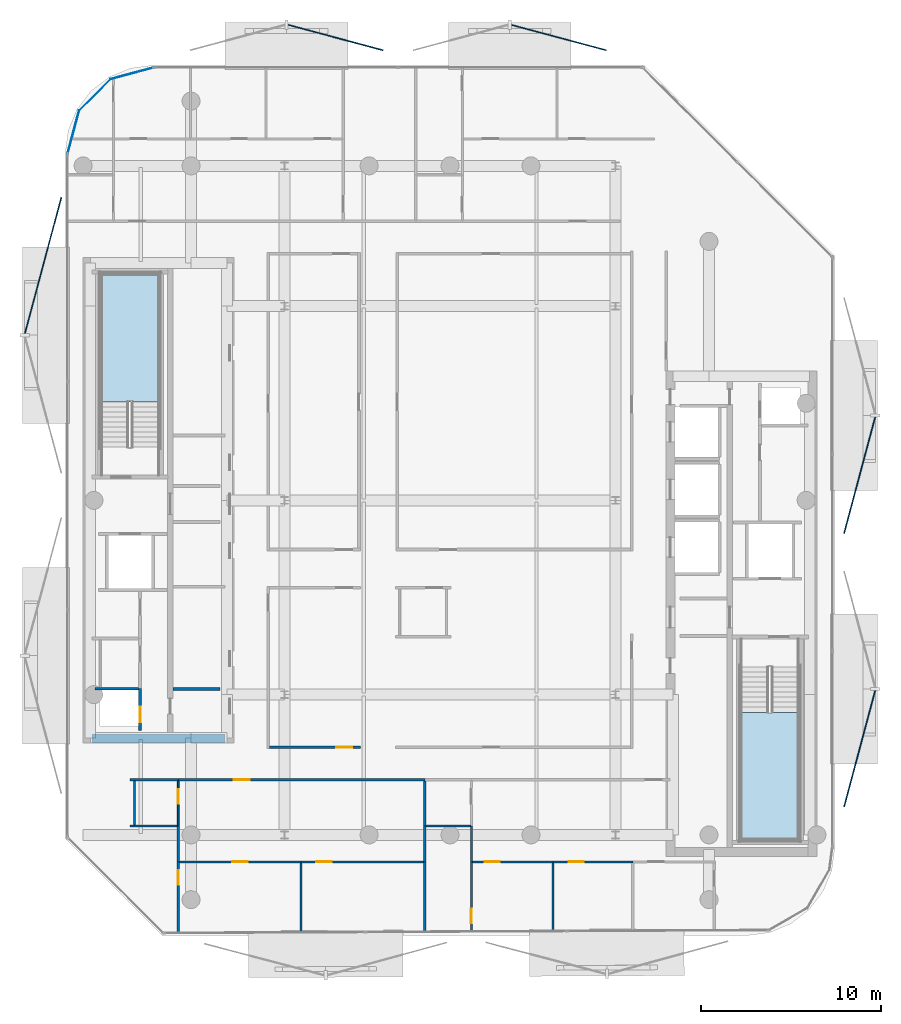
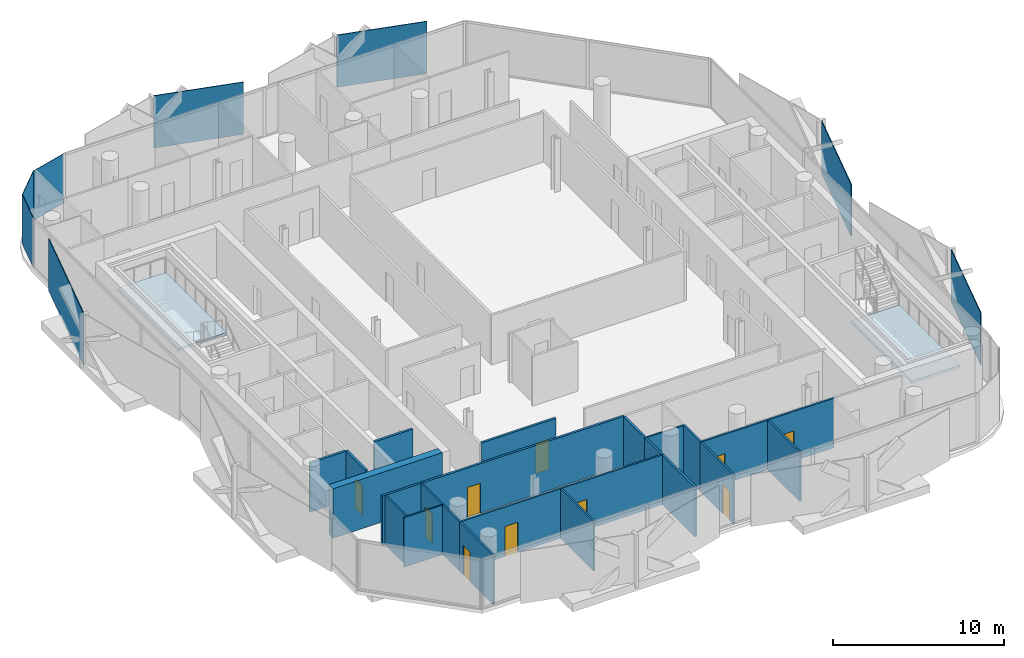
# One storey, part 4 of 16: 24 walls, 10 doors, 8 plates, 2 slabs, 10 openings, 2 elements without a shape of their own.
"""IFC4 building model written with IfcOpenShell, lengths in metres."""

from ifc_helpers import new_model, si_unit, direction, frame, frame_2d, origin, origin_2d, place, context, subcontext, project, spatial, polyline, rectangle, outline, extrude, material, layer, layer_set, type_object, element, fill, aggregate, save


model = new_model("IFC4")

# Units and contexts
model_context = context("Model", 3, precision=1e-05, world=origin(), true_north=direction((0.0, 1.0)))
body_context = subcontext(model_context, "Body", "Model", "MODEL_VIEW")
ifc_project = project(units=[si_unit("LENGTHUNIT", "METRE"), si_unit("AREAUNIT", "SQUARE_METRE"), si_unit("VOLUMEUNIT", "CUBIC_METRE"), si_unit("PLANEANGLEUNIT", "RADIAN"), si_unit("MASSUNIT", "GRAM", prefix="KILO")], contexts=[model_context])

# Site, building, storey
site_placement = place(None, origin())
site = spatial("IfcSite", under=ifc_project, at=site_placement, CompositionType="ELEMENT")
building_placement = place(site_placement, origin())
building = spatial("IfcBuilding", under=site, at=building_placement, Name="Khairoan Windgate Tower", CompositionType="ELEMENT")
storey_placement = place(building_placement, frame((0.0, 0.0, 281.39990234375)))
storey = spatial("IfcBuildingStorey", under=building, at=storey_placement, Name="L67", CompositionType="ELEMENT", Elevation=281.39990234375)

# Plates
ifc_material_1 = material(Name="Low-E Solar Control Laminated Glass", Category="glass")
ifc_layer_1 = layer(ifc_material_1, 0.030029296875, Name="Low-E Solar Control Laminated Glass")
ifc_layer_set_1 = layer_set([ifc_layer_1], Name="Low-E Solar Control Laminated Glass")
plate_type_1 = type_object("IfcPlateType", Name="Aerodynamic Wind-Corner Curved Glazing Plate", PredefinedType="USERDEFINED", material=ifc_layer_set_1)
plate_1_placement = place(storey_placement, frame((-20.940673828125, 20.485107421875, 0.0), z_axis=(0.0, 0.0, 1.0), x_axis=(0.258313252067, 0.966061211211, 0.0)))
element("IfcPlate", 1, at=plate_1_placement, inside=storey, type_object=plate_type_1, Name="L67 Aerodynamic Wind-Corner Curved Glazing Panel 4", ObjectType="GLAZING PANEL", PredefinedType="USERDEFINED", context=body_context, shape_type="SweptSolid", body=[
    extrude(rectangle(XDim=2.512451171875, YDim=0.035888671875, at=origin_2d()), origin(), (0.0, 0.0, 1.0), 3.5400390625),
])
plate_2_placement = place(storey_placement, frame((-19.750244140625, 22.55029296875, 0.0), z_axis=(0.0, 0.0, 1.0), x_axis=(0.707106781187, 0.707106781187, 0.0)))
element("IfcPlate", 2, at=plate_2_placement, inside=storey, type_object=plate_type_1, Name="L67 Aerodynamic Wind-Corner Curved Glazing Panel 5", ObjectType="GLAZING PANEL", PredefinedType="USERDEFINED", context=body_context, shape_type="SweptSolid", body=[
    extrude(rectangle(XDim=2.50341796875, YDim=0.035888671875, at=origin_2d()), origin(), (0.0, 0.0, 1.0), 3.5400390625),
])
plate_3_placement = place(storey_placement, frame((-17.68505859375, 23.740478515625, 0.0), z_axis=(0.0, 0.0, 1.0), x_axis=(0.966061211211, 0.258313252067, 0.0)))
element("IfcPlate", 3, at=plate_3_placement, inside=storey, type_object=plate_type_1, Name="L67 Aerodynamic Wind-Corner Curved Glazing Panel 6", ObjectType="GLAZING PANEL", PredefinedType="USERDEFINED", context=body_context, shape_type="SweptSolid", body=[
    extrude(rectangle(XDim=2.512451171875, YDim=0.035888671875, at=origin_2d()), origin(), (0.0, 0.0, 1.0), 3.5400390625),
])
ifc_material_2 = material(Name="Anodised Bronze Aluminium 6063-T6", Category="aluminium")
ifc_layer_2 = layer(ifc_material_2, 0.054931640625, Name="Anodised Bronze Aluminium 6063-T6")
ifc_layer_set_2 = layer_set([ifc_layer_2], Name="Anodised Bronze Aluminium 6063-T6")
plate_type_2 = type_object("IfcPlateType", Name="Perforated Bronze Solar Screen Upper Panel BSP-2", PredefinedType="USERDEFINED", material=ifc_layer_set_2)
plate_4_placement = place(storey_placement, frame((-22.62548828125, 13.05859375, -0.10009765625), z_axis=(0.0, 0.0, 1.0), x_axis=(0.258819045103, 0.965925826289, 0.0)))
element("IfcPlate", 4, at=plate_4_placement, inside=storey, type_object=plate_type_2, Name="L67 Perforated Bronze Solar Screen Panel 465R", ObjectType="SCREEN", PredefinedType="USERDEFINED", context=body_context, shape_type="SweptSolid", body=[
    extrude(rectangle(XDim=7.839111328125, YDim=0.054931640625, at=origin_2d()), origin(), (0.0, 0.0, 1.0), 3.739990234375),
])
for number, where, z_axis, x_axis, name in (
    (5, (-6.361083984375, 25.733642578125, -0.10009765625), (0.0, 0.0, 1.0), (0.965925826289, -0.258819045103, 0.0), "L67 Perforated Bronze Solar Screen Panel 466R"),
    (6, (6.04541015625, 25.733642578125, -0.10009765625), (0.0, 0.0, 1.0), (0.965925826289, -0.258819045103, 0.0), "L67 Perforated Bronze Solar Screen Panel 467R"),
):
    element("IfcPlate", number, at=place(storey_placement, frame(where, z_axis=z_axis, x_axis=x_axis)), inside=storey, type_object=plate_type_2, Name=name, ObjectType="SCREEN", PredefinedType="USERDEFINED", context=body_context, shape_type="SweptSolid", body=[
        extrude(rectangle(XDim=5.458984375, YDim=0.054931640625, at=origin_2d()), origin(), (0.0, 0.0, 1.0), 3.739990234375),
    ])
for number, where, z_axis, x_axis, name in (
    (7, (22.774169921875, 1.397216796875, -0.10009765625), (0.0, 0.0, 1.0), (-0.258819045103, -0.965925826289, 0.0), "L67 Perforated Bronze Solar Screen Panel 468R"),
    (8, (22.774169921875, -13.80908203125, -0.10009765625), (0.0, 0.0, 1.0), (-0.258819045103, -0.965925826289, 0.0), "L67 Perforated Bronze Solar Screen Panel 469R"),
):
    element("IfcPlate", number, at=place(storey_placement, frame(where, z_axis=z_axis, x_axis=x_axis)), inside=storey, type_object=plate_type_2, Name=name, ObjectType="SCREEN", PredefinedType="USERDEFINED", context=body_context, shape_type="SweptSolid", body=[
        extrude(rectangle(XDim=6.69091796875, YDim=0.054931640625, at=origin_2d()), origin(), (0.0, 0.0, 1.0), 3.739990234375),
    ])

# Stair, slab
ifc_material_3 = material(Name="Concrete C40/50", Category="concrete")
stair_type = type_object("IfcStairType", Name="Tower Core Dog-Leg Stair ST-T1 1560mm", PredefinedType="HALF_TURN_STAIR", material=ifc_material_3)
stair_1_placement = place(storey_placement, origin())
stair_1 = element("IfcStair", 9, at=stair_1_placement, inside=storey, type_object=stair_type, Name="L67 Stair ST1", PredefinedType="HALF_TURN_STAIR")
ifc_material_4 = material(Name="Concrete C40/50", Category="concrete")
ifc_layer_3 = layer(ifc_material_4, 0.199951171875, Name="Concrete C40/50")
ifc_layer_set_3 = layer_set([ifc_layer_3], Name="Concrete C40/50")
slab_type = type_object("IfcSlabType", Name="Reinforced Concrete Stair Landing Slab STL-200", PredefinedType="LANDING", material=ifc_layer_set_3)
slab_1_placement = place(storey_placement, frame((0.0, 0.0, 1.7001953125)))
slab_1 = element("IfcSlab", 10, at=slab_1_placement, type_object=slab_type, Name="ST1 landing 1", PredefinedType="LANDING", context=body_context, shape_type="SweptSolid", body=[
    extrude(outline(polyline([(16.14990234375, -11.780029296875), (16.14990234375, -18.89990234375), (19.419921875, -18.89990234375), (19.419921875, -11.780029296875), (16.14990234375, -11.780029296875)])), origin(), (0.0, 0.0, 1.0), 0.199951171875),
])
aggregate(stair_1, [slab_1])

stair_2_placement = place(storey_placement, origin())
stair_2 = element("IfcStair", 11, at=stair_2_placement, inside=storey, type_object=stair_type, Name="L67 Stair ST2", PredefinedType="HALF_TURN_STAIR")
slab_2_placement = place(storey_placement, frame((0.0, 0.0, 1.7001953125)))
slab_2 = element("IfcSlab", 12, at=slab_2_placement, type_object=slab_type, Name="ST2 landing 1", PredefinedType="LANDING", context=body_context, shape_type="SweptSolid", body=[
    extrude(outline(polyline([(-16.14990234375, 5.47998046875), (-16.14990234375, 12.60009765625), (-19.419921875, 12.60009765625), (-19.419921875, 5.47998046875), (-16.14990234375, 5.47998046875)])), origin(), (0.0, 0.0, 1.0), 0.199951171875),
])
aggregate(stair_2, [slab_2])

# Wall
ifc_material_5 = material(Name="Moisture-Resistant Gypsum Partition", Category="gypsum")
ifc_layer_4 = layer(ifc_material_5, 0.10009765625, Name="Moisture-Resistant Gypsum Partition")
ifc_layer_set_4 = layer_set([ifc_layer_4], Name="Moisture-Resistant Gypsum Partition")
wall_type_1 = type_object("IfcWallType", Name="Bathroom Wet-Area Partition Wall", PredefinedType="PARTITIONING", material=ifc_layer_set_4)
wall_1_placement = place(storey_placement, frame((-17.780029296875, -18.10009765625, 0.0), z_axis=(0.0, 0.0, 1.0), x_axis=(1.0, 0.0, 0.0)))
element("IfcWall", 13, at=wall_1_placement, inside=storey, type_object=wall_type_1, Name="L67 Interior Partition 055", PredefinedType="PARTITIONING", context=body_context, shape_type="SweptSolid", body=[
    extrude(rectangle(XDim=2.6201171875, YDim=0.10009765625, at=frame_2d((1.31005859375, 0.0))), origin(), (0.0, 0.0, 1.0), 3.5400390625),
])

# Wall, opening, door
wall_2_placement = place(storey_placement, frame((-15.110107421875, -18.10009765625, 0.0), z_axis=(0.0, 0.0, 1.0), x_axis=(0.0, 1.0, 0.0)))
wall_2 = element("IfcWall", 14, at=wall_2_placement, inside=storey, type_object=wall_type_1, Name="L67 Interior Partition 056", PredefinedType="PARTITIONING", context=body_context, shape_type="SweptSolid", body=[
    extrude(rectangle(XDim=2.5, YDim=0.10009765625, at=frame_2d((1.25, 0.0))), origin(), (0.0, 0.0, 1.0), 3.5400390625),
])
opening_1_placement = place(wall_2_placement, frame((1.239990234375, 0.0, 0.0)))
opening_1 = element("IfcOpeningElement", 15, at=opening_1_placement, cuts=wall_2, Name="Opening ID-BTH", PredefinedType="OPENING", context=body_context, shape_type="SweptSolid", body=[
    extrude(rectangle(XDim=0.800048828125, YDim=2.10009765625, at=frame_2d((0.39990234375, 1.050048828125))), frame((0.0, 0.06005859375, 0.0), z_axis=(0.0, -1.0, 0.0), x_axis=(1.0, 0.0, 0.0)), (0.0, 0.0, 1.0), 0.1201171875),
])
ifc_material_6 = material(Name="Teak Veneer Timber Leaf", Category="wood")
door_type_1 = type_object("IfcDoorType", Name="Internal Bathroom Door ID-BTH 800x2100", OperationType="NOTDEFINED", PredefinedType="DOOR", material=ifc_material_6)
door_1_placement = place(opening_1_placement, origin())
door_1 = element("IfcDoor", 16, at=door_1_placement, inside=storey, type_object=door_type_1, Name="L67 L67-44-L67-46 Door", OperationType="SINGLE_SWING_RIGHT", OverallHeight=2.10009765625, OverallWidth=0.800048828125, PredefinedType="DOOR", context=body_context, shape_type="SweptSolid", body=[
    extrude(rectangle(XDim=0.800048828125, YDim=2.10009765625, at=frame_2d((0.39990234375, 1.050048828125))), frame((0.0, 0.02490234375, 0.0), z_axis=(0.0, -1.0, 0.0), x_axis=(1.0, 0.0, 0.0)), (0.0, 0.0, 1.0), 0.050048828125),
])
fill(opening_1, door_1)

# Walls
wall_3_placement = place(storey_placement, frame((-1.330078125, -18.10009765625, 0.0), z_axis=(0.0, 0.0, 1.0), x_axis=(1.0, 0.0, 0.0)))
element("IfcWall", 17, at=wall_3_placement, inside=storey, type_object=wall_type_1, Name="L67 Interior Partition 065", PredefinedType="PARTITIONING", context=body_context, shape_type="SweptSolid", body=[
    extrude(rectangle(XDim=2.469970703125, YDim=0.10009765625, at=frame_2d((1.23486328125, 0.0))), origin(), (0.0, 0.0, 1.0), 3.5400390625),
])
wall_4_placement = place(storey_placement, frame((-17.5400390625, -18.050048828125, 0.0), z_axis=(0.0, 0.0, 1.0), x_axis=(0.0, 1.0, 0.0)))
element("IfcWall", 18, at=wall_4_placement, inside=storey, type_object=wall_type_1, Name="L67 Wet Room Side Wall 077", PredefinedType="PARTITIONING", context=body_context, shape_type="SweptSolid", body=[
    extrude(rectangle(XDim=2.449951171875, YDim=0.10009765625, at=frame_2d((1.22509765625, 0.0))), origin(), (0.0, 0.0, 1.0), 3.5400390625),
])
ifc_material_7 = material(Name="Concrete C40/50", Category="concrete")
ifc_layer_5 = layer(ifc_material_7, 0.159912109375, Name="Concrete C40/50")
ifc_layer_set_5 = layer_set([ifc_layer_5], Name="Concrete C40/50")
wall_type_2 = type_object("IfcWallType", Name="Core and Hoistway Enclosure Wall", PredefinedType="STANDARD", material=ifc_layer_set_5)
wall_5_placement = place(storey_placement, frame((-15.39990234375, -10.47998046875, 0.0), z_axis=(0.0, 0.0, 1.0), x_axis=(1.0, 0.0, 0.0)))
element("IfcWall", 19, at=wall_5_placement, inside=storey, type_object=wall_type_2, Name="L67 Core Shaft Wall SW-WSV-L67", PredefinedType="STANDARD", context=body_context, shape_type="SweptSolid", body=[
    extrude(rectangle(XDim=2.599853515625, YDim=0.159912109375, at=frame_2d((1.2998046875, 0.0))), origin(), (0.0, 0.0, 1.0), 3.5400390625),
])
ifc_material_8 = material(Name="Acoustic Fire-Rated Gypsum Partition", Category="gypsum")
ifc_layer_6 = layer(ifc_material_8, 0.139892578125, Name="Acoustic Fire-Rated Gypsum Partition")
ifc_layer_set_6 = layer_set([ifc_layer_6], Name="Acoustic Fire-Rated Gypsum Partition")
wall_type_3 = type_object("IfcWallType", Name="Inter-Tenancy Compartment Wall", PredefinedType="PARTITIONING", material=ifc_layer_set_6)
wall_6_placement = place(storey_placement, frame((-1.39990234375, -18.10009765625, 0.0), z_axis=(0.0, 0.0, 1.0), x_axis=(0.0, 1.0, 0.0)))
element("IfcWall", 20, at=wall_6_placement, inside=storey, type_object=wall_type_3, Name="L67 Interior Partition 061", PredefinedType="PARTITIONING", context=body_context, shape_type="SweptSolid", body=[
    extrude(rectangle(XDim=2.5, YDim=0.139892578125, at=frame_2d((1.25, 0.0))), origin(), (0.0, 0.0, 1.0), 3.5400390625),
])
wall_7_placement = place(storey_placement, frame((-1.39990234375, -20.10009765625, 0.0), z_axis=(0.0, 0.0, 1.0), x_axis=(0.0, 1.0, 0.0)))
element("IfcWall", 21, at=wall_7_placement, inside=storey, type_object=wall_type_3, Name="L67 Interior Partition 062", PredefinedType="PARTITIONING", context=body_context, shape_type="SweptSolid", body=[
    extrude(rectangle(XDim=2.0, YDim=0.139892578125, at=frame_2d((1.0, 0.0))), origin(), (0.0, 0.0, 1.0), 3.5400390625),
])
wall_8_placement = place(storey_placement, frame((-1.39990234375, -23.984375, 0.0), z_axis=(0.0, 0.0, 1.0), x_axis=(0.0, 1.0, 0.0)))
element("IfcWall", 22, at=wall_8_placement, inside=storey, type_object=wall_type_3, Name="L67 Interior Partition 064", PredefinedType="PARTITIONING", context=body_context, shape_type="SweptSolid", body=[
    extrude(rectangle(XDim=3.88427734375, YDim=0.139892578125, at=frame_2d((1.942138671875, 0.0))), origin(), (0.0, 0.0, 1.0), 3.5400390625),
])
ifc_material_9 = material(Name="Gypsum Stud Partition", Category="gypsum")
ifc_layer_7 = layer(ifc_material_9, 0.1201171875, Name="Gypsum Stud Partition")
ifc_layer_set_7 = layer_set([ifc_layer_7], Name="Gypsum Stud Partition")
wall_type_4 = type_object("IfcWallType", Name="Internal Room Partition Wall", PredefinedType="PARTITIONING", material=ifc_layer_set_7)
wall_9_placement = place(storey_placement, frame((-15.110107421875, -20.10009765625, 0.0), z_axis=(0.0, 0.0, 1.0), x_axis=(0.0, 1.0, 0.0)))
element("IfcWall", 23, at=wall_9_placement, inside=storey, type_object=wall_type_4, Name="L67 Interior Partition 057", PredefinedType="PARTITIONING", context=body_context, shape_type="SweptSolid", body=[
    extrude(rectangle(XDim=2.0, YDim=0.1201171875, at=frame_2d((1.0, 0.0))), origin(), (0.0, 0.0, 1.0), 3.5400390625),
])

# Wall, opening, door
wall_10_placement = place(storey_placement, frame((-15.110107421875, -24.051025390625, 0.0), z_axis=(0.0, 0.0, 1.0), x_axis=(0.0, 1.0, 0.0)))
wall_10 = element("IfcWall", 24, at=wall_10_placement, inside=storey, type_object=wall_type_4, Name="L67 Interior Partition 058", PredefinedType="PARTITIONING", context=body_context, shape_type="SweptSolid", body=[
    extrude(rectangle(XDim=3.950927734375, YDim=0.1201171875, at=frame_2d((1.9755859375, 0.0))), origin(), (0.0, 0.0, 1.0), 3.5400390625),
])
opening_2_placement = place(wall_10_placement, frame((2.69091796875, 0.0, 0.0)))
opening_2 = element("IfcOpeningElement", 25, at=opening_2_placement, cuts=wall_10, Name="Opening ID-BTH", PredefinedType="OPENING", context=body_context, shape_type="SweptSolid", body=[
    extrude(rectangle(XDim=0.800048828125, YDim=2.10009765625, at=frame_2d((0.39990234375, 1.050048828125))), frame((0.0, 0.070068359375, 0.0), z_axis=(0.0, -1.0, 0.0), x_axis=(1.0, 0.0, 0.0)), (0.0, 0.0, 1.0), 0.14013671875),
])
door_2_placement = place(opening_2_placement, origin())
door_2 = element("IfcDoor", 26, at=door_2_placement, inside=storey, type_object=door_type_1, Name="L67 L67-45-L67-47 Door", OperationType="SINGLE_SWING_RIGHT", OverallHeight=2.10009765625, OverallWidth=0.800048828125, PredefinedType="DOOR", context=body_context, shape_type="SweptSolid", body=[
    extrude(rectangle(XDim=0.800048828125, YDim=2.10009765625, at=frame_2d((0.39990234375, 1.050048828125))), frame((0.0, 0.02490234375, 0.0), z_axis=(0.0, -1.0, 0.0), x_axis=(1.0, 0.0, 0.0)), (0.0, 0.0, 1.0), 0.050048828125),
])
fill(opening_2, door_2)

wall_11_placement = place(storey_placement, frame((-15.050048828125, -20.10009765625, 0.0), z_axis=(0.0, 0.0, 1.0), x_axis=(1.0, 0.0, 0.0)))
wall_11 = element("IfcWall", 27, at=wall_11_placement, inside=storey, type_object=wall_type_4, Name="L67 Interior Partition 059", PredefinedType="PARTITIONING", context=body_context, shape_type="SweptSolid", body=[
    extrude(rectangle(XDim=6.755126953125, YDim=0.1201171875, at=frame_2d((3.37744140625, 0.0))), origin(), (0.0, 0.0, 1.0), 3.5400390625),
])
opening_3_placement = place(wall_11_placement, frame((2.947509765625, 0.0, 0.0)))
opening_3 = element("IfcOpeningElement", 28, at=opening_3_placement, cuts=wall_11, Name="Opening ID-RM", PredefinedType="OPENING", context=body_context, shape_type="SweptSolid", body=[
    extrude(rectangle(XDim=0.860107421875, YDim=2.14990234375, at=frame_2d((0.43017578125, 1.074951171875))), frame((0.0, 0.070068359375, 0.0), z_axis=(0.0, -1.0, 0.0), x_axis=(1.0, 0.0, 0.0)), (0.0, 0.0, 1.0), 0.14013671875),
])
ifc_material_10 = material(Name="Teak Veneer Timber Leaf", Category="wood")
door_type_2 = type_object("IfcDoorType", Name="Internal Bedroom and Office Door ID-RM 860x2150", OperationType="NOTDEFINED", PredefinedType="DOOR", material=ifc_material_10)
door_3_placement = place(opening_3_placement, origin())
door_3 = element("IfcDoor", 29, at=door_3_placement, inside=storey, type_object=door_type_2, Name="L67 L67-46-L67-47 Door", OperationType="SINGLE_SWING_RIGHT", OverallHeight=2.14990234375, OverallWidth=0.860107421875, PredefinedType="DOOR", context=body_context, shape_type="SweptSolid", body=[
    extrude(rectangle(XDim=0.860107421875, YDim=2.14990234375, at=frame_2d((0.43017578125, 1.074951171875))), frame((0.0, 0.02490234375, 0.0), z_axis=(0.0, -1.0, 0.0), x_axis=(1.0, 0.0, 0.0)), (0.0, 0.0, 1.0), 0.050048828125),
])
fill(opening_3, door_3)

wall_12_placement = place(storey_placement, frame((-8.294921875, -20.10009765625, 0.0), z_axis=(0.0, 0.0, 1.0), x_axis=(1.0, 0.0, 0.0)))
wall_12 = element("IfcWall", 30, at=wall_12_placement, inside=storey, type_object=wall_type_4, Name="L67 Interior Partition 060", PredefinedType="PARTITIONING", context=body_context, shape_type="SweptSolid", body=[
    extrude(rectangle(XDim=6.824951171875, YDim=0.1201171875, at=frame_2d((3.41259765625, 0.0))), origin(), (0.0, 0.0, 1.0), 3.5400390625),
])
opening_4_placement = place(wall_12_placement, frame((0.863525390625, 0.0, 0.0)))
opening_4 = element("IfcOpeningElement", 31, at=opening_4_placement, cuts=wall_12, Name="Opening ID-RM", PredefinedType="OPENING", context=body_context, shape_type="SweptSolid", body=[
    extrude(rectangle(XDim=0.860107421875, YDim=2.14990234375, at=frame_2d((0.43017578125, 1.074951171875))), frame((0.0, 0.070068359375, 0.0), z_axis=(0.0, -1.0, 0.0), x_axis=(1.0, 0.0, 0.0)), (0.0, 0.0, 1.0), 0.14013671875),
])
door_4_placement = place(opening_4_placement, origin())
door_4 = element("IfcDoor", 32, at=door_4_placement, inside=storey, type_object=door_type_2, Name="L67 L67-46-L67-48 Door", OperationType="SINGLE_SWING_LEFT", OverallHeight=2.14990234375, OverallWidth=0.860107421875, PredefinedType="DOOR", context=body_context, shape_type="SweptSolid", body=[
    extrude(rectangle(XDim=0.860107421875, YDim=2.14990234375, at=frame_2d((0.43017578125, 1.074951171875))), frame((0.0, 0.02490234375, 0.0), z_axis=(0.0, -1.0, 0.0), x_axis=(1.0, 0.0, 0.0)), (0.0, 0.0, 1.0), 0.050048828125),
])
fill(opening_4, door_4)

# Walls
wall_13_placement = place(storey_placement, frame((-8.294921875, -24.017822265625, 0.0), z_axis=(0.0, 0.0, 1.0), x_axis=(0.0, 1.0, 0.0)))
element("IfcWall", 33, at=wall_13_placement, inside=storey, type_object=wall_type_4, Name="L67 Interior Partition 063", PredefinedType="PARTITIONING", context=body_context, shape_type="SweptSolid", body=[
    extrude(rectangle(XDim=3.85791015625, YDim=0.1201171875, at=frame_2d((1.928955078125, 0.0))), origin(), (0.0, 0.0, 1.0), 3.5400390625),
])
wall_14_placement = place(storey_placement, frame((1.18994140625, -20.10009765625, 0.0), z_axis=(0.0, 0.0, 1.0), x_axis=(0.0, 1.0, 0.0)))
element("IfcWall", 34, at=wall_14_placement, inside=storey, type_object=wall_type_4, Name="L67 Interior Partition 067", PredefinedType="PARTITIONING", context=body_context, shape_type="SweptSolid", body=[
    extrude(rectangle(XDim=2.0, YDim=0.1201171875, at=frame_2d((1.0, 0.0))), origin(), (0.0, 0.0, 1.0), 3.5400390625),
])

# Wall, opening, door
wall_15_placement = place(storey_placement, frame((1.18994140625, -23.971923828125, 0.0), z_axis=(0.0, 0.0, 1.0), x_axis=(0.0, 1.0, 0.0)))
wall_15 = element("IfcWall", 35, at=wall_15_placement, inside=storey, type_object=wall_type_4, Name="L67 Interior Partition 068", PredefinedType="PARTITIONING", context=body_context, shape_type="SweptSolid", body=[
    extrude(rectangle(XDim=3.871826171875, YDim=0.1201171875, at=frame_2d((1.93603515625, 0.0))), origin(), (0.0, 0.0, 1.0), 3.5400390625),
])
opening_5_placement = place(wall_15_placement, frame((0.4599609375, 0.0, 0.0)))
opening_5 = element("IfcOpeningElement", 36, at=opening_5_placement, cuts=wall_15, Name="Opening ID-BTH", PredefinedType="OPENING", context=body_context, shape_type="SweptSolid", body=[
    extrude(rectangle(XDim=0.800048828125, YDim=2.10009765625, at=frame_2d((0.39990234375, 1.050048828125))), frame((0.0, 0.070068359375, 0.0), z_axis=(0.0, -1.0, 0.0), x_axis=(1.0, 0.0, 0.0)), (0.0, 0.0, 1.0), 0.14013671875),
])
door_5_placement = place(opening_5_placement, origin())
door_5 = element("IfcDoor", 37, at=door_5_placement, inside=storey, type_object=door_type_1, Name="L67 L67-50-L67-53 Door", OperationType="SINGLE_SWING_LEFT", OverallHeight=2.10009765625, OverallWidth=0.800048828125, PredefinedType="DOOR", context=body_context, shape_type="SweptSolid", body=[
    extrude(rectangle(XDim=0.800048828125, YDim=2.10009765625, at=frame_2d((0.39990234375, 1.050048828125))), frame((0.0, 0.02490234375, 0.0), z_axis=(0.0, -1.0, 0.0), x_axis=(1.0, 0.0, 0.0)), (0.0, 0.0, 1.0), 0.050048828125),
])
fill(opening_5, door_5)

wall_16_placement = place(storey_placement, frame((1.25, -20.10009765625, 0.0), z_axis=(0.0, 0.0, 1.0), x_axis=(1.0, 0.0, 0.0)))
wall_16 = element("IfcWall", 38, at=wall_16_placement, inside=storey, type_object=wall_type_4, Name="L67 Interior Partition 069", PredefinedType="PARTITIONING", context=body_context, shape_type="SweptSolid", body=[
    extrude(rectangle(XDim=4.467041015625, YDim=0.1201171875, at=frame_2d((2.2333984375, 0.0))), origin(), (0.0, 0.0, 1.0), 3.5400390625),
])
opening_6_placement = place(wall_16_placement, frame((0.666748046875, 0.0, 0.0)))
opening_6 = element("IfcOpeningElement", 39, at=opening_6_placement, cuts=wall_16, Name="Opening ID-RM", PredefinedType="OPENING", context=body_context, shape_type="SweptSolid", body=[
    extrude(rectangle(XDim=0.860107421875, YDim=2.14990234375, at=frame_2d((0.43017578125, 1.074951171875))), frame((0.0, 0.070068359375, 0.0), z_axis=(0.0, -1.0, 0.0), x_axis=(1.0, 0.0, 0.0)), (0.0, 0.0, 1.0), 0.14013671875),
])
door_6_placement = place(opening_6_placement, origin())
door_6 = element("IfcDoor", 40, at=door_6_placement, inside=storey, type_object=door_type_2, Name="L67 L67-51-L67-53 Door", OperationType="SINGLE_SWING_RIGHT", OverallHeight=2.14990234375, OverallWidth=0.860107421875, PredefinedType="DOOR", context=body_context, shape_type="SweptSolid", body=[
    extrude(rectangle(XDim=0.860107421875, YDim=2.14990234375, at=frame_2d((0.43017578125, 1.074951171875))), frame((0.0, 0.02490234375, 0.0), z_axis=(0.0, -1.0, 0.0), x_axis=(1.0, 0.0, 0.0)), (0.0, 0.0, 1.0), 0.050048828125),
])
fill(opening_6, door_6)

wall_17_placement = place(storey_placement, frame((5.717041015625, -20.10009765625, 0.0), z_axis=(0.0, 0.0, 1.0), x_axis=(1.0, 0.0, 0.0)))
wall_17 = element("IfcWall", 41, at=wall_17_placement, inside=storey, type_object=wall_type_4, Name="L67 Interior Partition 070", PredefinedType="PARTITIONING", context=body_context, shape_type="SweptSolid", body=[
    extrude(rectangle(XDim=4.446044921875, YDim=0.1201171875, at=frame_2d((2.22314453125, 0.0))), origin(), (0.0, 0.0, 1.0), 3.5400390625),
])
opening_7_placement = place(wall_17_placement, frame((0.8701171875, 0.0, 0.0)))
opening_7 = element("IfcOpeningElement", 42, at=opening_7_placement, cuts=wall_17, Name="Opening ID-RM", PredefinedType="OPENING", context=body_context, shape_type="SweptSolid", body=[
    extrude(rectangle(XDim=0.860107421875, YDim=2.14990234375, at=frame_2d((0.43017578125, 1.074951171875))), frame((0.0, 0.070068359375, 0.0), z_axis=(0.0, -1.0, 0.0), x_axis=(1.0, 0.0, 0.0)), (0.0, 0.0, 1.0), 0.14013671875),
])
door_7_placement = place(opening_7_placement, origin())
door_7 = element("IfcDoor", 43, at=door_7_placement, inside=storey, type_object=door_type_2, Name="L67 L67-51-L67-54 Door", OperationType="SINGLE_SWING_LEFT", OverallHeight=2.14990234375, OverallWidth=0.860107421875, PredefinedType="DOOR", context=body_context, shape_type="SweptSolid", body=[
    extrude(rectangle(XDim=0.860107421875, YDim=2.14990234375, at=frame_2d((0.43017578125, 1.074951171875))), frame((0.0, 0.02490234375, 0.0), z_axis=(0.0, -1.0, 0.0), x_axis=(1.0, 0.0, 0.0)), (0.0, 0.0, 1.0), 0.050048828125),
])
fill(opening_7, door_7)

# Wall
wall_18_placement = place(storey_placement, frame((5.717041015625, -23.949951171875, 0.0), z_axis=(0.0, 0.0, 1.0), x_axis=(0.0, 1.0, 0.0)))
element("IfcWall", 44, at=wall_18_placement, inside=storey, type_object=wall_type_4, Name="L67 Interior Partition 073", PredefinedType="PARTITIONING", context=body_context, shape_type="SweptSolid", body=[
    extrude(rectangle(XDim=3.7900390625, YDim=0.1201171875, at=frame_2d((1.89501953125, 0.0))), origin(), (0.0, 0.0, 1.0), 3.5400390625),
])

# Wall, opening, door
ifc_material_11 = material(Name="Concrete C40/50", Category="concrete")
ifc_layer_8 = layer(ifc_material_11, 0.159912109375, Name="Concrete C40/50")
ifc_layer_set_8 = layer_set([ifc_layer_8], Name="Concrete C40/50")
wall_type_5 = type_object("IfcWallType", Name="Plant and Refuge Compartment Wall", PredefinedType="PARTITIONING", material=ifc_layer_set_8)
wall_19_placement = place(storey_placement, frame((-17.22998046875, -12.7900390625, 0.0), z_axis=(0.0, 0.0, 1.0), x_axis=(0.0, 1.0, 0.0)))
wall_19 = element("IfcWall", 45, at=wall_19_placement, inside=storey, type_object=wall_type_5, Name="L67 Interior Partition 001", PredefinedType="PARTITIONING", context=body_context, shape_type="SweptSolid", body=[
    extrude(rectangle(XDim=2.320068359375, YDim=0.159912109375, at=frame_2d((1.16015625, 0.0))), origin(), (0.0, 0.0, 1.0), 3.5400390625),
])
opening_8_placement = place(wall_19_placement, frame((0.4599609375, 0.0, 0.0)))
opening_8 = element("IfcOpeningElement", 46, at=opening_8_placement, cuts=wall_19, Name="Opening FD-SRV", PredefinedType="OPENING", context=body_context, shape_type="SweptSolid", body=[
    extrude(rectangle(XDim=0.85009765625, YDim=2.10009765625, at=frame_2d((0.425048828125, 1.050048828125))), frame((0.0, 0.08984375, 0.0), z_axis=(0.0, -1.0, 0.0), x_axis=(1.0, 0.0, 0.0)), (0.0, 0.0, 1.0), 0.179931640625),
])
ifc_material_12 = material(Name="Steel S355", Category="steel")
door_type_3 = type_object("IfcDoorType", Name="Core Service and Riser Fire Door FD-SRV 850x2100", OperationType="NOTDEFINED", PredefinedType="DOOR", material=ifc_material_12)
door_8_placement = place(opening_8_placement, origin())
door_8 = element("IfcDoor", 47, at=door_8_placement, inside=storey, type_object=door_type_3, Name="L67 L67-04-L67-05 Door", OperationType="SINGLE_SWING_RIGHT", OverallHeight=2.10009765625, OverallWidth=0.85009765625, PredefinedType="DOOR", context=body_context, shape_type="SweptSolid", body=[
    extrude(rectangle(XDim=0.85009765625, YDim=2.10009765625, at=frame_2d((0.425048828125, 1.050048828125))), frame((0.0, 0.02490234375, 0.0), z_axis=(0.0, -1.0, 0.0), x_axis=(1.0, 0.0, 0.0)), (0.0, 0.0, 1.0), 0.050048828125),
])
fill(opening_8, door_8)

# Walls
wall_20_placement = place(storey_placement, frame((-19.75, -10.469970703125, 0.0), z_axis=(0.0, 0.0, 1.0), x_axis=(1.0, 0.0, 0.0)))
element("IfcWall", 48, at=wall_20_placement, inside=storey, type_object=wall_type_5, Name="L67 Interior Partition 004", PredefinedType="PARTITIONING", context=body_context, shape_type="SweptSolid", body=[
    extrude(rectangle(XDim=2.43994140625, YDim=0.159912109375, at=frame_2d((1.219970703125, 0.0))), origin(), (0.0, 0.0, 1.0), 3.5400390625),
])
ifc_material_13 = material(Name="Acoustic Fire-Rated Gypsum Partition", Category="gypsum")
ifc_layer_9 = layer(ifc_material_13, 0.14990234375, Name="Acoustic Fire-Rated Gypsum Partition")
ifc_layer_set_9 = layer_set([ifc_layer_9], Name="Acoustic Fire-Rated Gypsum Partition")
wall_type_6 = type_object("IfcWallType", Name="Rated Corridor Partition Wall", PredefinedType="PARTITIONING", material=ifc_layer_set_9)
wall_21_placement = place(storey_placement, frame((-17.780029296875, -15.52490234375, 0.0), z_axis=(0.0, 0.0, 1.0), x_axis=(1.0, 0.0, 0.0)))
element("IfcWall", 49, at=wall_21_placement, inside=storey, type_object=wall_type_6, Name="L67 Interior Partition 029", PredefinedType="PARTITIONING", context=body_context, shape_type="SweptSolid", body=[
    extrude(rectangle(XDim=2.669921875, YDim=0.14990234375, at=frame_2d((1.3349609375, 0.0))), origin(), (0.0, 0.0, 1.0), 3.5400390625),
])

# Wall, opening, door
wall_22_placement = place(storey_placement, frame((-15.110107421875, -15.52490234375, 0.0), z_axis=(0.0, 0.0, 1.0), x_axis=(1.0, 0.0, 0.0)))
wall_22 = element("IfcWall", 50, at=wall_22_placement, inside=storey, type_object=wall_type_6, Name="L67 Interior Partition 030", PredefinedType="PARTITIONING", context=body_context, shape_type="SweptSolid", body=[
    extrude(rectangle(XDim=13.710205078125, YDim=0.14990234375, at=frame_2d((6.85498046875, 0.0))), origin(), (0.0, 0.0, 1.0), 3.5400390625),
])
opening_9_placement = place(wall_22_placement, frame((3.079833984375, 0.0, 0.0)))
opening_9 = element("IfcOpeningElement", 51, at=opening_9_placement, cuts=wall_22, Name="Opening FD-ENT", PredefinedType="OPENING", context=body_context, shape_type="SweptSolid", body=[
    extrude(rectangle(XDim=0.89990234375, YDim=2.14990234375, at=frame_2d((0.449951171875, 1.074951171875))), frame((0.0, 0.0849609375, 0.0), z_axis=(0.0, -1.0, 0.0), x_axis=(1.0, 0.0, 0.0)), (0.0, 0.0, 1.0), 0.169921875),
])
ifc_material_14 = material(Name="Timber Fire-Rated Core", Category="wood")
door_type_4 = type_object("IfcDoorType", Name="Unit and Office Fire Entrance Door FD-ENT 900x2150", OperationType="NOTDEFINED", PredefinedType="DOOR", material=ifc_material_14)
door_9_placement = place(opening_9_placement, origin())
door_9 = element("IfcDoor", 52, at=door_9_placement, inside=storey, type_object=door_type_4, Name="L67 L67-31-L67-46 Door", OperationType="SINGLE_SWING_RIGHT", OverallHeight=2.14990234375, OverallWidth=0.89990234375, PredefinedType="DOOR", context=body_context, shape_type="SweptSolid", body=[
    extrude(rectangle(XDim=0.89990234375, YDim=2.14990234375, at=frame_2d((0.449951171875, 1.074951171875))), frame((0.0, 0.02490234375, 0.0), z_axis=(0.0, -1.0, 0.0), x_axis=(1.0, 0.0, 0.0)), (0.0, 0.0, 1.0), 0.050048828125),
])
fill(opening_9, door_9)

wall_23_placement = place(storey_placement, frame((-10.02490234375, -13.719970703125, 0.0), z_axis=(0.0, 0.0, 1.0), x_axis=(1.0, 0.0, 0.0)))
wall_23 = element("IfcWall", 53, at=wall_23_placement, inside=storey, type_object=wall_type_6, Name="L67 Interior Partition 033", PredefinedType="PARTITIONING", context=body_context, shape_type="SweptSolid", body=[
    extrude(rectangle(XDim=5.054931640625, YDim=0.14990234375, at=frame_2d((2.52734375, 0.0))), origin(), (0.0, 0.0, 1.0), 3.5400390625),
])
opening_10_placement = place(wall_23_placement, frame((3.695068359375, 0.0, 0.0)))
opening_10 = element("IfcOpeningElement", 54, at=opening_10_placement, cuts=wall_23, Name="Opening FD-ENT", PredefinedType="OPENING", context=body_context, shape_type="SweptSolid", body=[
    extrude(rectangle(XDim=0.89990234375, YDim=2.14990234375, at=frame_2d((0.449951171875, 1.074951171875))), frame((0.0, 0.0849609375, 0.0), z_axis=(0.0, -1.0, 0.0), x_axis=(1.0, 0.0, 0.0)), (0.0, 0.0, 1.0), 0.169921875),
])
door_10_placement = place(opening_10_placement, origin())
door_10 = element("IfcDoor", 55, at=door_10_placement, inside=storey, type_object=door_type_4, Name="L67 L67-31-L67-58 Door", OperationType="SINGLE_SWING_RIGHT", OverallHeight=2.14990234375, OverallWidth=0.89990234375, PredefinedType="DOOR", context=body_context, shape_type="SweptSolid", body=[
    extrude(rectangle(XDim=0.89990234375, YDim=2.14990234375, at=frame_2d((0.449951171875, 1.074951171875))), frame((0.0, 0.02490234375, 0.0), z_axis=(0.0, -1.0, 0.0), x_axis=(1.0, 0.0, 0.0)), (0.0, 0.0, 1.0), 0.050048828125),
])
fill(opening_10, door_10)

# Wall
ifc_material_15 = material(Name="Concrete C50/60", Category="concrete")
ifc_layer_10 = layer(ifc_material_15, 0.5, Name="Concrete C50/60")
ifc_layer_set_10 = layer_set([ifc_layer_10], Name="Concrete C50/60")
wall_type_7 = type_object("IfcWallType", Name="Shear Wall CW-W3 500mm", PredefinedType="SHEAR", material=ifc_layer_set_10)
wall_24_placement = place(storey_placement, frame((-19.89990234375, -13.25, 0.0), z_axis=(0.0, 0.0, 1.0), x_axis=(1.0, 0.0, 0.0)))
element("IfcWall", 56, at=wall_24_placement, inside=storey, type_object=wall_type_7, Name="W Core South Shear Wall L67", PredefinedType="SHEAR", context=body_context, shape_type="SweptSolid", body=[
    extrude(rectangle(XDim=7.39990234375, YDim=0.5, at=frame_2d((3.699951171875, 0.0))), origin(), (0.0, 0.0, 1.0), 3.5400390625),
])

save(model, "model.ifc")
